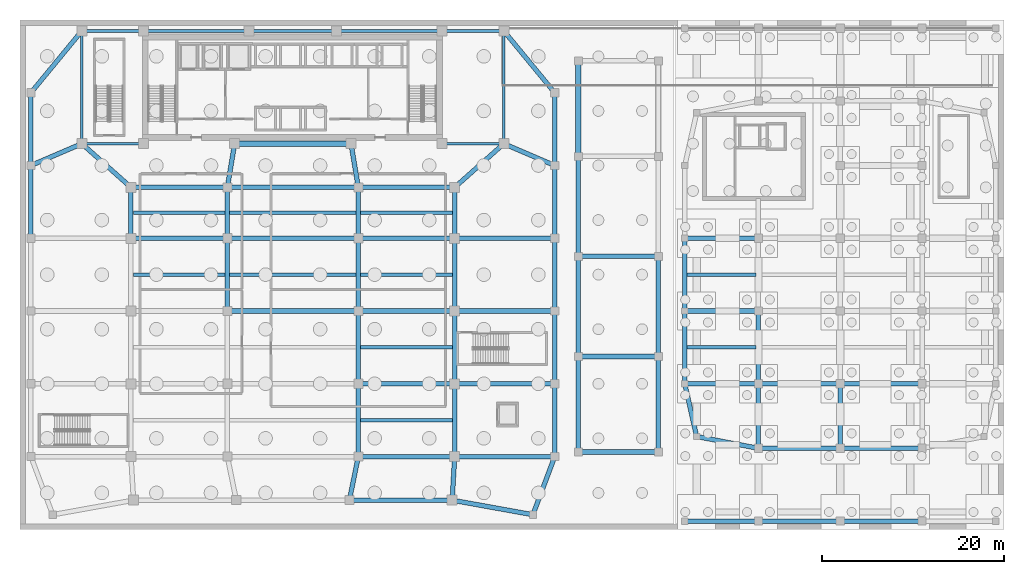
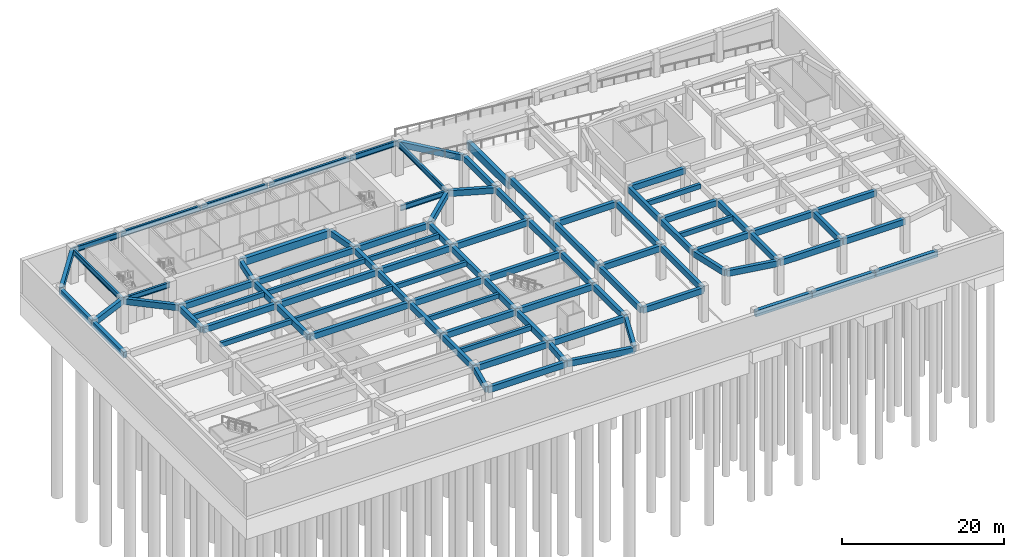
# One storey, part 4 of 18: 91 beams.
"""IFC4 building model written with IfcOpenShell, lengths in metres."""

from ifc_helpers import new_model, si_unit, direction, frame, origin, origin_2d, place, context, subcontext, project, spatial, rectangle, i_section, extrude, material, material_profile, profile_set, type_object, element, save


model = new_model("IFC4")

# Units and contexts
model_context = context("Model", 3, precision=1e-05, world=origin(), true_north=direction((0.0, 1.0)))
body_context = subcontext(model_context, "Body", "Model", "MODEL_VIEW")
ifc_project = project(units=[si_unit("LENGTHUNIT", "METRE"), si_unit("AREAUNIT", "SQUARE_METRE"), si_unit("VOLUMEUNIT", "CUBIC_METRE"), si_unit("PLANEANGLEUNIT", "RADIAN"), si_unit("MASSUNIT", "GRAM", prefix="KILO")], contexts=[model_context])

# Site, building, storey
site_placement = place(None, origin())
site = spatial("IfcSite", under=ifc_project, at=site_placement, CompositionType="ELEMENT")
building_placement = place(site_placement, origin())
building = spatial("IfcBuilding", under=site, at=building_placement, Name="Saevonmaru Cultural Tower", CompositionType="ELEMENT")
storey_placement = place(building_placement, frame((0.0, 0.0, -10.800048828125)))
storey = spatial("IfcBuildingStorey", under=building, at=storey_placement, Name="B2", CompositionType="ELEMENT", Elevation=-10.800048828125)

# Beams
ifc_material_1 = material(Name="Concrete C60/75", Category="concrete")
ifc_material_profile_1 = material_profile(ifc_material_1, rectangle(XDim=0.60009765625, YDim=1.10009765625, at=origin_2d()), Name="RC-CB-600x1100")
ifc_profile_set_1 = profile_set([ifc_material_profile_1], Name="Concrete C60/75")
beam_type_1 = type_object("IfcBeamType", Name="BM-CB-RC600x1100", PredefinedType="LINTEL", material=ifc_profile_set_1)
beam_1_placement = place(storey_placement, frame((61.39990234375, 41.06005859375, 3.66015625), z_axis=(0.0, 1.0, 0.0), x_axis=(-1.0, 0.0, 0.0)))
element("IfcBeam", 1, at=beam_1_placement, inside=storey, type_object=beam_type_1, Name="B2 Vehicle Ramp VR-2 Transverse Support Girder 1", PredefinedType="LINTEL", context=body_context, shape_type="SweptSolid", body=[
    extrude(rectangle(XDim=0.60009765625, YDim=1.10009765625, at=origin_2d()), origin(), (0.0, 0.0, 1.0), 10.3798828125),
])
beam_2_placement = place(storey_placement, frame((23.659912109375, 42.39990234375, 4.5), z_axis=(1.0, 0.0, 0.0), x_axis=(0.0, 1.0, 0.0)))
element("IfcBeam", 2, at=beam_2_placement, inside=storey, type_object=beam_type_1, Name="B2 Core South Girder 3", PredefinedType="LINTEL", context=body_context, shape_type="SweptSolid", body=[
    extrude(rectangle(XDim=0.60009765625, YDim=1.10009765625, at=origin_2d()), origin(), (0.0, 0.0, 1.0), 12.68017578125),
])
ifc_material_2 = material(Name="Steel SM420", Category="steel")
ifc_material_profile_2 = material_profile(ifc_material_2, i_section(OverallWidth=0.300048828125, OverallDepth=0.800048828125, WebThickness=0.013916015625, FlangeThickness=0.02587890625, FilletRadius=0.028076171875, at=origin_2d()), Name="H-800x300x14x26")
ifc_profile_set_2 = profile_set([ifc_material_profile_2], Name="Steel SM420")
beam_type_2 = type_object("IfcBeamType", Name="BM-G-H800", PredefinedType="BEAM", material=ifc_profile_set_2)
beam_3_placement = place(storey_placement, frame((6.860107421875, 54.800048828125, 4.650146484375), z_axis=(1.0, 0.0, 0.0), x_axis=(0.0, 1.0, 0.0)))
element("IfcBeam", 3, at=beam_3_placement, inside=storey, type_object=beam_type_2, Name="B2 North Spine Girder 1", PredefinedType="BEAM", context=body_context, shape_type="SweptSolid", body=[
    extrude(i_section(OverallWidth=0.300048828125, OverallDepth=0.800048828125, WebThickness=0.013916015625, FlangeThickness=0.02587890625, FilletRadius=0.028076171875, at=origin_2d()), origin(), (0.0, 0.0, 1.0), 6.679931640625),
])
beam_4_placement = place(storey_placement, frame((13.659912109375, 54.800048828125, 4.650146484375), z_axis=(1.0, 0.0, 0.0), x_axis=(0.0, 1.0, 0.0)))
element("IfcBeam", 4, at=beam_4_placement, inside=storey, type_object=beam_type_2, Name="B2 North Spine Girder 2", PredefinedType="BEAM", context=body_context, shape_type="SweptSolid", body=[
    extrude(i_section(OverallWidth=0.300048828125, OverallDepth=0.800048828125, WebThickness=0.013916015625, FlangeThickness=0.02587890625, FilletRadius=0.028076171875, at=origin_2d()), origin(), (0.0, 0.0, 1.0), 11.47998046875),
])
beam_5_placement = place(storey_placement, frame((25.260009765625, 54.800048828125, 4.650146484375), z_axis=(1.0, 0.0, 0.0), x_axis=(0.0, 1.0, 0.0)))
element("IfcBeam", 5, at=beam_5_placement, inside=storey, type_object=beam_type_2, Name="B2 North Spine Girder 3", PredefinedType="BEAM", context=body_context, shape_type="SweptSolid", body=[
    extrude(i_section(OverallWidth=0.300048828125, OverallDepth=0.800048828125, WebThickness=0.013916015625, FlangeThickness=0.02587890625, FilletRadius=0.028076171875, at=origin_2d()), origin(), (0.0, 0.0, 1.0), 9.47998046875),
])
beam_6_placement = place(storey_placement, frame((34.860107421875, 54.800048828125, 4.650146484375), z_axis=(1.0, 0.0, 0.0), x_axis=(0.0, 1.0, 0.0)))
element("IfcBeam", 6, at=beam_6_placement, inside=storey, type_object=beam_type_2, Name="B2 North Spine Girder 4", PredefinedType="BEAM", context=body_context, shape_type="SweptSolid", body=[
    extrude(i_section(OverallWidth=0.300048828125, OverallDepth=0.800048828125, WebThickness=0.013916015625, FlangeThickness=0.02587890625, FilletRadius=0.028076171875, at=origin_2d()), origin(), (0.0, 0.0, 1.0), 11.47998046875),
])
for number, where, z_axis, x_axis, name in (
    (7, (46.4599609375, 54.800048828125, 4.650146484375), (1.0, 0.0, 0.0), (0.0, 1.0, 0.0), "B2 North Spine Girder 5"),
    (8, (6.860107421875, 42.39990234375, 4.650146484375), (1.0, 0.0, 0.0), (0.0, 1.0, 0.0), "B2 Core South Girder 1"),
    (9, (46.4599609375, 42.39990234375, 4.650146484375), (1.0, 0.0, 0.0), (0.0, 1.0, 0.0), "B2 Core South Girder 5"),
):
    element("IfcBeam", number, at=place(storey_placement, frame(where, z_axis=z_axis, x_axis=x_axis)), inside=storey, type_object=beam_type_2, Name=name, PredefinedType="BEAM", context=body_context, shape_type="SweptSolid", body=[
        extrude(i_section(OverallWidth=0.300048828125, OverallDepth=0.800048828125, WebThickness=0.013916015625, FlangeThickness=0.02587890625, FilletRadius=0.028076171875, at=origin_2d()), origin(), (0.0, 0.0, 1.0), 6.679931640625),
    ])
for number, where, z_axis, x_axis, name in (
    (10, (6.800048828125, 54.739990234375, 4.650146484375), (0.0, -1.0, 0.0), (1.0, 0.0, 0.0), "B2 Spine Transverse Girder W"),
    (11, (53.199951171875, 54.739990234375, 4.610107421875), (0.0, -1.0, 0.0), (1.0, 0.0, 0.0), "B2 Spine Transverse Girder E"),
):
    element("IfcBeam", number, at=place(storey_placement, frame(where, z_axis=z_axis, x_axis=x_axis)), inside=storey, type_object=beam_type_2, Name=name, PredefinedType="BEAM", context=body_context, shape_type="SweptSolid", body=[
        extrude(i_section(OverallWidth=0.300048828125, OverallDepth=0.800048828125, WebThickness=0.013916015625, FlangeThickness=0.02587890625, FilletRadius=0.028076171875, at=origin_2d()), origin(), (0.0, 0.0, 1.0), 12.280029296875),
    ])
ifc_material_3 = material(Name="Concrete C40/50", Category="concrete")
ifc_material_profile_3 = material_profile(ifc_material_3, rectangle(XDim=0.39990234375, YDim=0.699951171875, at=origin_2d()), Name="RC-BM-400x700")
ifc_profile_set_3 = profile_set([ifc_material_profile_3], Name="Concrete C40/50")
beam_type_3 = type_object("IfcBeamType", Name="BM-RC-400x700", PredefinedType="BEAM", material=ifc_profile_set_3)
for number, where, z_axis, x_axis, name in (
    (12, (37.4580078125, 12.0, 4.699951171875), (1.0, 0.0, 0.0), (0.0, 1.0, 0.0), "B2 Secondary Floor Joist JE-1"),
    (13, (37.4580078125, 20.0, 4.699951171875), (1.0, 0.0, 0.0), (0.0, 1.0, 0.0), "B2 Secondary Floor Joist JE-2"),
    (14, (12.4580078125, 28.0, 4.699951171875), (1.0, 0.0, 0.0), (0.0, 1.0, 0.0), "B2 Secondary Floor Joist JW-3"),
    (15, (37.4580078125, 28.0, 4.699951171875), (1.0, 0.0, 0.0), (0.0, 1.0, 0.0), "B2 Secondary Floor Joist JE-3"),
):
    element("IfcBeam", number, at=place(storey_placement, frame(where, z_axis=z_axis, x_axis=x_axis)), inside=storey, type_object=beam_type_3, Name=name, PredefinedType="BEAM", context=body_context, shape_type="SweptSolid", body=[
        extrude(rectangle(XDim=0.39990234375, YDim=0.699951171875, at=origin_2d()), origin(), (0.0, 0.0, 1.0), 10.083984375),
    ])
beam_7_placement = place(storey_placement, frame((23.05810546875, 28.0, 4.699951171875), z_axis=(1.0, 0.0, 0.0), x_axis=(0.0, 1.0, 0.0)))
element("IfcBeam", 16, at=beam_7_placement, inside=storey, type_object=beam_type_3, Name="B2 Secondary Floor Joist JC-3", PredefinedType="BEAM", context=body_context, shape_type="SweptSolid", body=[
    extrude(rectangle(XDim=0.39990234375, YDim=0.699951171875, at=origin_2d()), origin(), (0.0, 0.0, 1.0), 13.8837890625),
])
for number, where, z_axis, x_axis, name in (
    (17, (12.4580078125, 34.800048828125, 4.699951171875), (1.0, 0.0, 0.0), (0.0, 1.0, 0.0), "B2 Secondary Floor Joist JW-4"),
    (18, (37.4580078125, 34.800048828125, 4.699951171875), (1.0, 0.0, 0.0), (0.0, 1.0, 0.0), "B2 Secondary Floor Joist JE-4"),
):
    element("IfcBeam", number, at=place(storey_placement, frame(where, z_axis=z_axis, x_axis=x_axis)), inside=storey, type_object=beam_type_3, Name=name, PredefinedType="BEAM", context=body_context, shape_type="SweptSolid", body=[
        extrude(rectangle(XDim=0.39990234375, YDim=0.699951171875, at=origin_2d()), origin(), (0.0, 0.0, 1.0), 10.083984375),
    ])
beam_8_placement = place(storey_placement, frame((23.05810546875, 34.800048828125, 4.699951171875), z_axis=(1.0, 0.0, 0.0), x_axis=(0.0, 1.0, 0.0)))
element("IfcBeam", 19, at=beam_8_placement, inside=storey, type_object=beam_type_3, Name="B2 Secondary Floor Joist JC-4", PredefinedType="BEAM", context=body_context, shape_type="SweptSolid", body=[
    extrude(rectangle(XDim=0.39990234375, YDim=0.699951171875, at=origin_2d()), origin(), (0.0, 0.0, 1.0), 13.8837890625),
])
for number, where, z_axis, x_axis, name in (
    (20, (73.35791015625, 20.0, 4.699951171875), (1.0, 0.0, 0.0), (0.0, 1.0, 0.0), "B2 Library Joist J-2-1"),
    (21, (73.35791015625, 28.0, 4.699951171875), (1.0, 0.0, 0.0), (0.0, 1.0, 0.0), "B2 Library Joist J-3-1"),
):
    element("IfcBeam", number, at=place(storey_placement, frame(where, z_axis=z_axis, x_axis=x_axis)), inside=storey, type_object=beam_type_3, Name=name, PredefinedType="BEAM", context=body_context, shape_type="SweptSolid", body=[
        extrude(rectangle(XDim=0.39990234375, YDim=0.699951171875, at=origin_2d()), origin(), (0.0, 0.0, 1.0), 7.583984375),
    ])
ifc_material_4 = material(Name="Concrete C50/60", Category="concrete")
ifc_material_profile_4 = material_profile(ifc_material_4, rectangle(XDim=0.5, YDim=0.89990234375, at=origin_2d()), Name="RC-BM-500x900")
ifc_profile_set_4 = profile_set([ifc_material_profile_4], Name="Concrete C50/60")
beam_type_4 = type_object("IfcBeamType", Name="BM-RC-500x900", PredefinedType="BEAM", material=ifc_profile_set_4)
beam_9_placement = place(storey_placement, frame((12.199951171875, 32.06005859375, 4.60009765625), z_axis=(0.0, 1.0, 0.0), x_axis=(-1.0, 0.0, 0.0)))
element("IfcBeam", 22, at=beam_9_placement, inside=storey, type_object=beam_type_4, Name="B2 Podium Girder NS1-5", PredefinedType="BEAM", context=body_context, shape_type="SweptSolid", body=[
    extrude(rectangle(XDim=0.5, YDim=0.89990234375, at=origin_2d()), origin(), (0.0, 0.0, 1.0), 5.47998046875),
])
beam_10_placement = place(storey_placement, frame((12.1552734375, 37.639892578125, 4.60009765625), z_axis=(-0.74742827637, 0.664342510819, 0.0), x_axis=(-0.664342510819, -0.74742827637, 0.0)))
element("IfcBeam", 23, at=beam_10_placement, inside=storey, type_object=beam_type_4, Name="B2 Podium Girder NS1-6", PredefinedType="BEAM", context=body_context, shape_type="SweptSolid", body=[
    extrude(rectangle(XDim=0.5, YDim=0.89990234375, at=origin_2d()), origin(), (0.0, 0.0, 1.0), 7.10498046875),
])
beam_11_placement = place(storey_placement, frame((22.800048828125, 24.06005859375, 4.60009765625), z_axis=(0.0, 1.0, 0.0), x_axis=(-1.0, 0.0, 0.0)))
element("IfcBeam", 24, at=beam_11_placement, inside=storey, type_object=beam_type_4, Name="B2 Podium Girder NS2-4", PredefinedType="BEAM", context=body_context, shape_type="SweptSolid", body=[
    extrude(rectangle(XDim=0.5, YDim=0.89990234375, at=origin_2d()), origin(), (0.0, 0.0, 1.0), 7.8798828125),
])
beam_12_placement = place(storey_placement, frame((22.800048828125, 32.06005859375, 4.60009765625), z_axis=(0.0, 1.0, 0.0), x_axis=(-1.0, 0.0, 0.0)))
element("IfcBeam", 25, at=beam_12_placement, inside=storey, type_object=beam_type_4, Name="B2 Podium Girder NS2-5", PredefinedType="BEAM", context=body_context, shape_type="SweptSolid", body=[
    extrude(rectangle(XDim=0.5, YDim=0.89990234375, at=origin_2d()), origin(), (0.0, 0.0, 1.0), 5.47998046875),
])
beam_13_placement = place(storey_placement, frame((22.809814453125, 37.6591796875, 4.60009765625), z_axis=(0.164398987305, 0.986393923832, 0.0), x_axis=(-0.986393923832, 0.164398987305, 0.0)))
element("IfcBeam", 26, at=beam_13_placement, inside=storey, type_object=beam_type_4, Name="B2 Podium Girder NS2-6", PredefinedType="BEAM", context=body_context, shape_type="SweptSolid", body=[
    extrude(rectangle(XDim=0.5, YDim=0.89990234375, at=origin_2d()), origin(), (0.0, 0.0, 1.0), 4.746337890625),
])
beam_14_placement = place(storey_placement, frame((36.23193359375, 3.2587890625, 4.60009765625), z_axis=(0.200054094908, 0.979784853481, 0.0), x_axis=(-0.979784853481, 0.200054094908, 0.0)))
element("IfcBeam", 27, at=beam_14_placement, inside=storey, type_object=beam_type_4, Name="B2 Podium Girder NS3-1", PredefinedType="BEAM", context=body_context, shape_type="SweptSolid", body=[
    extrude(rectangle(XDim=0.5, YDim=0.89990234375, at=origin_2d()), origin(), (0.0, 0.0, 1.0), 4.779052734375),
])
for number, where, z_axis, x_axis, name in (
    (28, (37.199951171875, 8.06005859375, 4.60009765625), (0.0, 1.0, 0.0), (-1.0, 0.0, 0.0), "B2 Podium Girder NS3-2"),
    (29, (37.199951171875, 16.06005859375, 4.60009765625), (0.0, 1.0, 0.0), (-1.0, 0.0, 0.0), "B2 Podium Girder NS3-3"),
    (30, (37.199951171875, 24.06005859375, 4.60009765625), (0.0, 1.0, 0.0), (-1.0, 0.0, 0.0), "B2 Podium Girder NS3-4"),
):
    element("IfcBeam", number, at=place(storey_placement, frame(where, z_axis=z_axis, x_axis=x_axis)), inside=storey, type_object=beam_type_4, Name=name, PredefinedType="BEAM", context=body_context, shape_type="SweptSolid", body=[
        extrude(rectangle(XDim=0.5, YDim=0.89990234375, at=origin_2d()), origin(), (0.0, 0.0, 1.0), 7.8798828125),
    ])
beam_15_placement = place(storey_placement, frame((37.199951171875, 32.06005859375, 4.60009765625), z_axis=(0.0, 1.0, 0.0), x_axis=(-1.0, 0.0, 0.0)))
element("IfcBeam", 31, at=beam_15_placement, inside=storey, type_object=beam_type_4, Name="B2 Podium Girder NS3-5", PredefinedType="BEAM", context=body_context, shape_type="SweptSolid", body=[
    extrude(rectangle(XDim=0.5, YDim=0.89990234375, at=origin_2d()), origin(), (0.0, 0.0, 1.0), 5.47998046875),
])
beam_16_placement = place(storey_placement, frame((37.190185546875, 37.6591796875, 4.60009765625), z_axis=(-0.164398987305, 0.986393923832, 0.0), x_axis=(-0.986393923832, -0.164398987305, 0.0)))
element("IfcBeam", 32, at=beam_16_placement, inside=storey, type_object=beam_type_4, Name="B2 Podium Girder NS3-6", PredefinedType="BEAM", context=body_context, shape_type="SweptSolid", body=[
    extrude(rectangle(XDim=0.5, YDim=0.89990234375, at=origin_2d()), origin(), (0.0, 0.0, 1.0), 4.746337890625),
])
beam_17_placement = place(storey_placement, frame((47.5234375, 3.260009765625, 4.60009765625), z_axis=(0.058221363278, 0.998303697708, 0.0), x_axis=(-0.998303697708, 0.058221363278, 0.0)))
element("IfcBeam", 33, at=beam_17_placement, inside=storey, type_object=beam_type_4, Name="B2 Podium Girder NS4-1", PredefinedType="BEAM", context=body_context, shape_type="SweptSolid", body=[
    extrude(rectangle(XDim=0.5, YDim=0.89990234375, at=origin_2d()), origin(), (0.0, 0.0, 1.0), 4.688232421875),
])
for number, where, z_axis, x_axis, name in (
    (34, (47.800048828125, 8.06005859375, 4.60009765625), (0.0, 1.0, 0.0), (-1.0, 0.0, 0.0), "B2 Podium Girder NS4-2"),
    (35, (47.800048828125, 16.06005859375, 4.60009765625), (0.0, 1.0, 0.0), (-1.0, 0.0, 0.0), "B2 Podium Girder NS4-3"),
    (36, (47.800048828125, 24.06005859375, 4.60009765625), (0.0, 1.0, 0.0), (-1.0, 0.0, 0.0), "B2 Podium Girder NS4-4"),
):
    element("IfcBeam", number, at=place(storey_placement, frame(where, z_axis=z_axis, x_axis=x_axis)), inside=storey, type_object=beam_type_4, Name=name, PredefinedType="BEAM", context=body_context, shape_type="SweptSolid", body=[
        extrude(rectangle(XDim=0.5, YDim=0.89990234375, at=origin_2d()), origin(), (0.0, 0.0, 1.0), 7.8798828125),
    ])
beam_18_placement = place(storey_placement, frame((47.800048828125, 32.06005859375, 4.60009765625), z_axis=(0.0, 1.0, 0.0), x_axis=(-1.0, 0.0, 0.0)))
element("IfcBeam", 37, at=beam_18_placement, inside=storey, type_object=beam_type_4, Name="B2 Podium Girder NS4-5", PredefinedType="BEAM", context=body_context, shape_type="SweptSolid", body=[
    extrude(rectangle(XDim=0.5, YDim=0.89990234375, at=origin_2d()), origin(), (0.0, 0.0, 1.0), 5.47998046875),
])
beam_19_placement = place(storey_placement, frame((47.8447265625, 37.639892578125, 4.60009765625), z_axis=(0.74742827637, 0.664342510819, 0.0), x_axis=(-0.664342510819, 0.74742827637, 0.0)))
element("IfcBeam", 38, at=beam_19_placement, inside=storey, type_object=beam_type_4, Name="B2 Podium Girder NS4-6", PredefinedType="BEAM", context=body_context, shape_type="SweptSolid", body=[
    extrude(rectangle(XDim=0.5, YDim=0.89990234375, at=origin_2d()), origin(), (0.0, 0.0, 1.0), 7.10498046875),
])
beam_20_placement = place(storey_placement, frame((36.280029296875, 3.199951171875, 4.60009765625), z_axis=(1.0, 0.0, 0.0), x_axis=(0.0, 1.0, 0.0)))
element("IfcBeam", 39, at=beam_20_placement, inside=storey, type_object=beam_type_4, Name="BM-POD-EW-E-0-B2", PredefinedType="BEAM", context=body_context, shape_type="SweptSolid", body=[
    extrude(rectangle(XDim=0.5, YDim=0.89990234375, at=origin_2d()), origin(), (0.0, 0.0, 1.0), 11.179931640625),
])
for number, where, z_axis, x_axis, name in (
    (40, (37.260009765625, 8.0, 4.60009765625), (1.0, 0.0, 0.0), (0.0, 1.0, 0.0), "B2 Gallery Girder E-1"),
    (41, (37.260009765625, 16.0, 4.60009765625), (1.0, 0.0, 0.0), (0.0, 1.0, 0.0), "B2 Gallery Girder E-2"),
    (42, (37.260009765625, 24.0, 4.60009765625), (1.0, 0.0, 0.0), (0.0, 1.0, 0.0), "B2 Gallery Girder E-3"),
):
    element("IfcBeam", number, at=place(storey_placement, frame(where, z_axis=z_axis, x_axis=x_axis)), inside=storey, type_object=beam_type_4, Name=name, PredefinedType="BEAM", context=body_context, shape_type="SweptSolid", body=[
        extrude(rectangle(XDim=0.5, YDim=0.89990234375, at=origin_2d()), origin(), (0.0, 0.0, 1.0), 10.47998046875),
    ])
beam_21_placement = place(storey_placement, frame((22.860107421875, 24.0, 4.60009765625), z_axis=(1.0, 0.0, 0.0), x_axis=(0.0, 1.0, 0.0)))
element("IfcBeam", 43, at=beam_21_placement, inside=storey, type_object=beam_type_4, Name="B2 Long-Span Hall Girder C-3", PredefinedType="BEAM", context=body_context, shape_type="SweptSolid", body=[
    extrude(rectangle(XDim=0.5, YDim=0.89990234375, at=origin_2d()), origin(), (0.0, 0.0, 1.0), 14.27978515625),
])
for number, where, z_axis, x_axis, name in (
    (44, (12.260009765625, 32.0, 4.60009765625), (1.0, 0.0, 0.0), (0.0, 1.0, 0.0), "B2 Gallery Girder W-4"),
    (45, (37.260009765625, 32.0, 4.60009765625), (1.0, 0.0, 0.0), (0.0, 1.0, 0.0), "B2 Gallery Girder E-4"),
):
    element("IfcBeam", number, at=place(storey_placement, frame(where, z_axis=z_axis, x_axis=x_axis)), inside=storey, type_object=beam_type_4, Name=name, PredefinedType="BEAM", context=body_context, shape_type="SweptSolid", body=[
        extrude(rectangle(XDim=0.5, YDim=0.89990234375, at=origin_2d()), origin(), (0.0, 0.0, 1.0), 10.47998046875),
    ])
beam_22_placement = place(storey_placement, frame((22.860107421875, 32.0, 4.60009765625), z_axis=(1.0, 0.0, 0.0), x_axis=(0.0, 1.0, 0.0)))
element("IfcBeam", 46, at=beam_22_placement, inside=storey, type_object=beam_type_4, Name="B2 Long-Span Hall Girder C-4", PredefinedType="BEAM", context=body_context, shape_type="SweptSolid", body=[
    extrude(rectangle(XDim=0.5, YDim=0.89990234375, at=origin_2d()), origin(), (0.0, 0.0, 1.0), 14.27978515625),
])
for number, where, z_axis, x_axis, name in (
    (47, (12.260009765625, 37.60009765625, 4.60009765625), (1.0, 0.0, 0.0), (0.0, 1.0, 0.0), "B2 Gallery Girder W-5"),
    (48, (37.260009765625, 37.60009765625, 4.60009765625), (1.0, 0.0, 0.0), (0.0, 1.0, 0.0), "B2 Gallery Girder E-5"),
):
    element("IfcBeam", number, at=place(storey_placement, frame(where, z_axis=z_axis, x_axis=x_axis)), inside=storey, type_object=beam_type_4, Name=name, PredefinedType="BEAM", context=body_context, shape_type="SweptSolid", body=[
        extrude(rectangle(XDim=0.5, YDim=0.89990234375, at=origin_2d()), origin(), (0.0, 0.0, 1.0), 10.47998046875),
    ])
beam_23_placement = place(storey_placement, frame((22.860107421875, 37.60009765625, 4.60009765625), z_axis=(1.0, 0.0, 0.0), x_axis=(0.0, 1.0, 0.0)))
element("IfcBeam", 49, at=beam_23_placement, inside=storey, type_object=beam_type_4, Name="B2 Long-Span Hall Girder C-5", PredefinedType="BEAM", context=body_context, shape_type="SweptSolid", body=[
    extrude(rectangle(XDim=0.5, YDim=0.89990234375, at=origin_2d()), origin(), (0.0, 0.0, 1.0), 14.27978515625),
])
for number, where, z_axis, x_axis, name in (
    (50, (47.860107421875, 8.0, 4.60009765625), (1.0, 0.0, 0.0), (0.0, 1.0, 0.0), "BM-POD-OE-1-B2"),
    (51, (47.860107421875, 16.0, 4.60009765625), (1.0, 0.0, 0.0), (0.0, 1.0, 0.0), "BM-POD-OE-2-B2"),
    (52, (47.860107421875, 24.0, 4.60009765625), (1.0, 0.0, 0.0), (0.0, 1.0, 0.0), "BM-POD-OE-3-B2"),
    (53, (47.860107421875, 32.0, 4.60009765625), (1.0, 0.0, 0.0), (0.0, 1.0, 0.0), "BM-POD-OE-4-B2"),
):
    element("IfcBeam", number, at=place(storey_placement, frame(where, z_axis=z_axis, x_axis=x_axis)), inside=storey, type_object=beam_type_4, Name=name, PredefinedType="BEAM", context=body_context, shape_type="SweptSolid", body=[
        extrude(rectangle(XDim=0.5, YDim=0.89990234375, at=origin_2d()), origin(), (0.0, 0.0, 1.0), 10.8798828125),
    ])
for number, where, z_axis, x_axis, name in (
    (54, (58.800048828125, 8.06005859375, 4.60009765625), (0.0, 1.0, 0.0), (-1.0, 0.0, 0.0), "BM-POD-PE-1-B2"),
    (55, (58.800048828125, 16.06005859375, 4.60009765625), (0.0, 1.0, 0.0), (-1.0, 0.0, 0.0), "BM-POD-PE-2-B2"),
    (56, (58.800048828125, 24.06005859375, 4.60009765625), (0.0, 1.0, 0.0), (-1.0, 0.0, 0.0), "BM-POD-PE-3-B2"),
    (57, (1.199951171875, 32.06005859375, 4.60009765625), (0.0, 1.0, 0.0), (-1.0, 0.0, 0.0), "BM-POD-PW-4-B2"),
    (58, (58.800048828125, 32.06005859375, 4.60009765625), (0.0, 1.0, 0.0), (-1.0, 0.0, 0.0), "BM-POD-PE-4-B2"),
    (59, (1.199951171875, 40.06005859375, 4.60009765625), (0.0, 1.0, 0.0), (-1.0, 0.0, 0.0), "BM-POD-PW-5-B2"),
    (60, (58.800048828125, 40.06005859375, 4.60009765625), (0.0, 1.0, 0.0), (-1.0, 0.0, 0.0), "BM-POD-PE-5-B2"),
):
    element("IfcBeam", number, at=place(storey_placement, frame(where, z_axis=z_axis, x_axis=x_axis)), inside=storey, type_object=beam_type_4, Name=name, PredefinedType="BEAM", context=body_context, shape_type="SweptSolid", body=[
        extrude(rectangle(XDim=0.5, YDim=0.89990234375, at=origin_2d()), origin(), (0.0, 0.0, 1.0), 7.8798828125),
    ])
beam_24_placement = place(storey_placement, frame((47.5791015625, 3.189453125, 4.60009765625), z_axis=(0.984149934695, -0.177338394151, 0.0), x_axis=(0.177338394151, 0.984149934695, 0.0)))
element("IfcBeam", 61, at=beam_24_placement, inside=storey, type_object=beam_type_4, Name="BM-POD-PS-2-B2", PredefinedType="BEAM", context=body_context, shape_type="SweptSolid", body=[
    extrude(rectangle(XDim=0.5, YDim=0.89990234375, at=origin_2d()), origin(), (0.0, 0.0, 1.0), 8.903076171875),
])
beam_25_placement = place(storey_placement, frame((56.421142578125, 1.65625, 4.60009765625), z_axis=(0.351099535502, 0.936338142003, 0.0), x_axis=(-0.936338142003, 0.351099535502, 0.0)))
element("IfcBeam", 62, at=beam_25_placement, inside=storey, type_object=beam_type_4, Name="BM-POD-PS-4-B2", PredefinedType="BEAM", context=body_context, shape_type="SweptSolid", body=[
    extrude(rectangle(XDim=0.5, YDim=0.89990234375, at=origin_2d()), origin(), (0.0, 0.0, 1.0), 6.715087890625),
])
beam_26_placement = place(storey_placement, frame((1.255126953125, 40.023681640625, 4.60009765625), z_axis=(0.919142915717, 0.393924231912, 0.0), x_axis=(-0.393924231912, 0.919142915717, 0.0)))
element("IfcBeam", 63, at=beam_26_placement, inside=storey, type_object=beam_type_4, Name="BM-POD-TW1-B2", PredefinedType="BEAM", context=body_context, shape_type="SweptSolid", body=[
    extrude(rectangle(XDim=0.5, YDim=0.89990234375, at=origin_2d()), origin(), (0.0, 0.0, 1.0), 5.97265625),
])
beam_27_placement = place(storey_placement, frame((1.238037109375, 48.04638671875, 4.60009765625), z_axis=(0.635726949651, 0.771914014309, 0.0), x_axis=(-0.771914014309, 0.635726949651, 0.0)))
element("IfcBeam", 64, at=beam_27_placement, inside=storey, type_object=beam_type_4, Name="BM-POD-TW2-B2", PredefinedType="BEAM", context=body_context, shape_type="SweptSolid", body=[
    extrude(rectangle(XDim=0.5, YDim=0.89990234375, at=origin_2d()), origin(), (0.0, 0.0, 1.0), 8.689208984375),
])
beam_28_placement = place(storey_placement, frame((53.255126953125, 42.37646484375, 4.60009765625), z_axis=(0.919142915717, -0.393924231912, 0.0), x_axis=(0.393924231912, 0.919142915717, 0.0)))
element("IfcBeam", 65, at=beam_28_placement, inside=storey, type_object=beam_type_4, Name="BM-POD-TE1-B2", PredefinedType="BEAM", context=body_context, shape_type="SweptSolid", body=[
    extrude(rectangle(XDim=0.5, YDim=0.89990234375, at=origin_2d()), origin(), (0.0, 0.0, 1.0), 5.97265625),
])
beam_29_placement = place(storey_placement, frame((53.238037109375, 54.753662109375, 4.60009765625), z_axis=(0.635726949651, -0.771914014309, 0.0), x_axis=(0.771914014309, 0.635726949651, 0.0)))
element("IfcBeam", 66, at=beam_29_placement, inside=storey, type_object=beam_type_4, Name="BM-POD-TE2-B2", PredefinedType="BEAM", context=body_context, shape_type="SweptSolid", body=[
    extrude(rectangle(XDim=0.5, YDim=0.89990234375, at=origin_2d()), origin(), (0.0, 0.0, 1.0), 8.689208984375),
])
beam_30_placement = place(storey_placement, frame((61.4599609375, 8.5, 4.60009765625), z_axis=(1.0, 0.0, 0.0), x_axis=(0.0, 1.0, 0.0)))
element("IfcBeam", 67, at=beam_30_placement, inside=storey, type_object=beam_type_4, Name="BM-PLZ-EW-1-B2", PredefinedType="BEAM", context=body_context, shape_type="SweptSolid", body=[
    extrude(rectangle(XDim=0.5, YDim=0.89990234375, at=origin_2d()), origin(), (0.0, 0.0, 1.0), 8.679931640625),
])
for number, where, z_axis, x_axis, name in (
    (68, (61.39990234375, 8.56005859375, 4.60009765625), (0.0, 1.0, 0.0), (-1.0, 0.0, 0.0), "BM-PLZ-NSW-1-B2"),
    (69, (70.199951171875, 8.56005859375, 4.60009765625), (0.0, 1.0, 0.0), (-1.0, 0.0, 0.0), "BM-PLZ-NSE-1-B2"),
):
    element("IfcBeam", number, at=place(storey_placement, frame(where, z_axis=z_axis, x_axis=x_axis)), inside=storey, type_object=beam_type_4, Name=name, PredefinedType="BEAM", context=body_context, shape_type="SweptSolid", body=[
        extrude(rectangle(XDim=0.5, YDim=0.89990234375, at=origin_2d()), origin(), (0.0, 0.0, 1.0), 10.3798828125),
    ])
beam_31_placement = place(storey_placement, frame((61.4599609375, 19.0, 4.60009765625), z_axis=(1.0, 0.0, 0.0), x_axis=(0.0, 1.0, 0.0)))
element("IfcBeam", 70, at=beam_31_placement, inside=storey, type_object=beam_type_4, Name="BM-PLZ-EW-2-B2", PredefinedType="BEAM", context=body_context, shape_type="SweptSolid", body=[
    extrude(rectangle(XDim=0.5, YDim=0.89990234375, at=origin_2d()), origin(), (0.0, 0.0, 1.0), 8.679931640625),
])
for number, where, z_axis, x_axis, name in (
    (71, (61.39990234375, 19.06005859375, 4.60009765625), (0.0, 1.0, 0.0), (-1.0, 0.0, 0.0), "BM-PLZ-NSW-2-B2"),
    (72, (70.199951171875, 19.06005859375, 4.60009765625), (0.0, 1.0, 0.0), (-1.0, 0.0, 0.0), "BM-PLZ-NSE-2-B2"),
):
    element("IfcBeam", number, at=place(storey_placement, frame(where, z_axis=z_axis, x_axis=x_axis)), inside=storey, type_object=beam_type_4, Name=name, PredefinedType="BEAM", context=body_context, shape_type="SweptSolid", body=[
        extrude(rectangle(XDim=0.5, YDim=0.89990234375, at=origin_2d()), origin(), (0.0, 0.0, 1.0), 10.8798828125),
    ])
beam_32_placement = place(storey_placement, frame((61.4599609375, 30.0, 4.60009765625), z_axis=(1.0, 0.0, 0.0), x_axis=(0.0, 1.0, 0.0)))
element("IfcBeam", 73, at=beam_32_placement, inside=storey, type_object=beam_type_4, Name="BM-PLZ-EW-3-B2", PredefinedType="BEAM", context=body_context, shape_type="SweptSolid", body=[
    extrude(rectangle(XDim=0.5, YDim=0.89990234375, at=origin_2d()), origin(), (0.0, 0.0, 1.0), 8.679931640625),
])
beam_33_placement = place(storey_placement, frame((61.39990234375, 30.06005859375, 4.60009765625), z_axis=(0.0, 1.0, 0.0), x_axis=(-1.0, 0.0, 0.0)))
element("IfcBeam", 74, at=beam_33_placement, inside=storey, type_object=beam_type_4, Name="BM-PLZ-NSW-3-B2", PredefinedType="BEAM", context=body_context, shape_type="SweptSolid", body=[
    extrude(rectangle(XDim=0.5, YDim=0.89990234375, at=origin_2d()), origin(), (0.0, 0.0, 1.0), 10.8798828125),
])
beam_34_placement = place(storey_placement, frame((74.458984375, 10.188720703125, 4.60009765625), z_axis=(0.982215224342, -0.187758496666, 0.0), x_axis=(0.187758496666, 0.982215224342, 0.0)))
element("IfcBeam", 75, at=beam_34_placement, inside=storey, type_object=beam_type_4, Name="B2 Library Girder EW-1-1", PredefinedType="BEAM", context=body_context, shape_type="SweptSolid", body=[
    extrude(rectangle(XDim=0.5, YDim=0.89990234375, at=origin_2d()), origin(), (0.0, 0.0, 1.0), 6.80322265625),
])
for number, where, z_axis, x_axis, name in (
    (76, (81.260009765625, 8.89990234375, 4.60009765625), (1.0, 0.0, 0.0), (0.0, 1.0, 0.0), "B2 Library Girder EW-1-2"),
    (77, (90.260009765625, 8.89990234375, 4.60009765625), (1.0, 0.0, 0.0), (0.0, 1.0, 0.0), "B2 Library Girder EW-1-3"),
):
    element("IfcBeam", number, at=place(storey_placement, frame(where, z_axis=z_axis, x_axis=x_axis)), inside=storey, type_object=beam_type_4, Name=name, PredefinedType="BEAM", context=body_context, shape_type="SweptSolid", body=[
        extrude(rectangle(XDim=0.5, YDim=0.89990234375, at=origin_2d()), origin(), (0.0, 0.0, 1.0), 8.8798828125),
    ])
beam_35_placement = place(storey_placement, frame((73.159912109375, 16.0, 4.60009765625), z_axis=(1.0, 0.0, 0.0), x_axis=(0.0, 1.0, 0.0)))
element("IfcBeam", 78, at=beam_35_placement, inside=storey, type_object=beam_type_4, Name="B2 Library Girder EW-2-1", PredefinedType="BEAM", context=body_context, shape_type="SweptSolid", body=[
    extrude(rectangle(XDim=0.5, YDim=0.89990234375, at=origin_2d()), origin(), (0.0, 0.0, 1.0), 7.97998046875),
])
for number, where, z_axis, x_axis, name in (
    (79, (81.260009765625, 16.0, 4.60009765625), (1.0, 0.0, 0.0), (0.0, 1.0, 0.0), "B2 Library Girder EW-2-2"),
    (80, (90.260009765625, 16.0, 4.60009765625), (1.0, 0.0, 0.0), (0.0, 1.0, 0.0), "B2 Library Girder EW-2-3"),
):
    element("IfcBeam", number, at=place(storey_placement, frame(where, z_axis=z_axis, x_axis=x_axis)), inside=storey, type_object=beam_type_4, Name=name, PredefinedType="BEAM", context=body_context, shape_type="SweptSolid", body=[
        extrude(rectangle(XDim=0.5, YDim=0.89990234375, at=origin_2d()), origin(), (0.0, 0.0, 1.0), 8.8798828125),
    ])
for number, where, z_axis, x_axis, name in (
    (81, (73.159912109375, 24.0, 4.60009765625), (1.0, 0.0, 0.0), (0.0, 1.0, 0.0), "B2 Library Girder EW-3-1"),
    (82, (73.159912109375, 32.0, 4.60009765625), (1.0, 0.0, 0.0), (0.0, 1.0, 0.0), "B2 Library Girder EW-4-1"),
):
    element("IfcBeam", number, at=place(storey_placement, frame(where, z_axis=z_axis, x_axis=x_axis)), inside=storey, type_object=beam_type_4, Name=name, PredefinedType="BEAM", context=body_context, shape_type="SweptSolid", body=[
        extrude(rectangle(XDim=0.5, YDim=0.89990234375, at=origin_2d()), origin(), (0.0, 0.0, 1.0), 7.97998046875),
    ])
beam_36_placement = place(storey_placement, frame((74.386962890625, 10.258544921875, 4.60009765625), z_axis=(-0.218741049138, 0.975782943806, 0.0), x_axis=(-0.975782943806, -0.218741049138, 0.0)))
element("IfcBeam", 83, at=beam_36_placement, inside=storey, type_object=beam_type_4, Name="B2 Library Girder NS-1-1", PredefinedType="BEAM", context=body_context, shape_type="SweptSolid", body=[
    extrude(rectangle(XDim=0.5, YDim=0.89990234375, at=origin_2d()), origin(), (0.0, 0.0, 1.0), 5.823974609375),
])
for number, where, z_axis, x_axis, name in (
    (84, (73.10009765625, 16.06005859375, 4.60009765625), (0.0, 1.0, 0.0), (-1.0, 0.0, 0.0), "B2 Library Girder NS-1-2"),
    (85, (73.10009765625, 24.06005859375, 4.60009765625), (0.0, 1.0, 0.0), (-1.0, 0.0, 0.0), "B2 Library Girder NS-1-3"),
):
    element("IfcBeam", number, at=place(storey_placement, frame(where, z_axis=z_axis, x_axis=x_axis)), inside=storey, type_object=beam_type_4, Name=name, PredefinedType="BEAM", context=body_context, shape_type="SweptSolid", body=[
        extrude(rectangle(XDim=0.5, YDim=0.89990234375, at=origin_2d()), origin(), (0.0, 0.0, 1.0), 7.8798828125),
    ])
beam_37_placement = place(storey_placement, frame((81.199951171875, 8.9599609375, 4.60009765625), z_axis=(0.0, 1.0, 0.0), x_axis=(-1.0, 0.0, 0.0)))
element("IfcBeam", 86, at=beam_37_placement, inside=storey, type_object=beam_type_4, Name="B2 Library Girder NS-2-1", PredefinedType="BEAM", context=body_context, shape_type="SweptSolid", body=[
    extrude(rectangle(XDim=0.5, YDim=0.89990234375, at=origin_2d()), origin(), (0.0, 0.0, 1.0), 6.97998046875),
])
beam_38_placement = place(storey_placement, frame((81.199951171875, 16.06005859375, 4.60009765625), z_axis=(0.0, 1.0, 0.0), x_axis=(-1.0, 0.0, 0.0)))
element("IfcBeam", 87, at=beam_38_placement, inside=storey, type_object=beam_type_4, Name="B2 Library Girder NS-2-2", PredefinedType="BEAM", context=body_context, shape_type="SweptSolid", body=[
    extrude(rectangle(XDim=0.5, YDim=0.89990234375, at=origin_2d()), origin(), (0.0, 0.0, 1.0), 7.8798828125),
])
beam_39_placement = place(storey_placement, frame((90.199951171875, 8.9599609375, 4.60009765625), z_axis=(0.0, 1.0, 0.0), x_axis=(-1.0, 0.0, 0.0)))
element("IfcBeam", 88, at=beam_39_placement, inside=storey, type_object=beam_type_4, Name="B2 Library Girder NS-3-1", PredefinedType="BEAM", context=body_context, shape_type="SweptSolid", body=[
    extrude(rectangle(XDim=0.5, YDim=0.89990234375, at=origin_2d()), origin(), (0.0, 0.0, 1.0), 6.97998046875),
])
beam_40_placement = place(storey_placement, frame((73.159912109375, 0.89990234375, 4.60009765625), z_axis=(1.0, 0.0, 0.0), x_axis=(0.0, 1.0, 0.0)))
element("IfcBeam", 89, at=beam_40_placement, inside=storey, type_object=beam_type_4, Name="BM-BS-S-1-B2", PredefinedType="BEAM", context=body_context, shape_type="SweptSolid", body=[
    extrude(rectangle(XDim=0.5, YDim=0.89990234375, at=origin_2d()), origin(), (0.0, 0.0, 1.0), 7.97998046875),
])
for number, where, z_axis, x_axis, name in (
    (90, (81.260009765625, 0.89990234375, 4.60009765625), (1.0, 0.0, 0.0), (0.0, 1.0, 0.0), "BM-BS-S-2-B2"),
    (91, (90.260009765625, 0.89990234375, 4.60009765625), (1.0, 0.0, 0.0), (0.0, 1.0, 0.0), "BM-BS-S-3-B2"),
):
    element("IfcBeam", number, at=place(storey_placement, frame(where, z_axis=z_axis, x_axis=x_axis)), inside=storey, type_object=beam_type_4, Name=name, PredefinedType="BEAM", context=body_context, shape_type="SweptSolid", body=[
        extrude(rectangle(XDim=0.5, YDim=0.89990234375, at=origin_2d()), origin(), (0.0, 0.0, 1.0), 8.8798828125),
    ])

save(model, "model.ifc")
